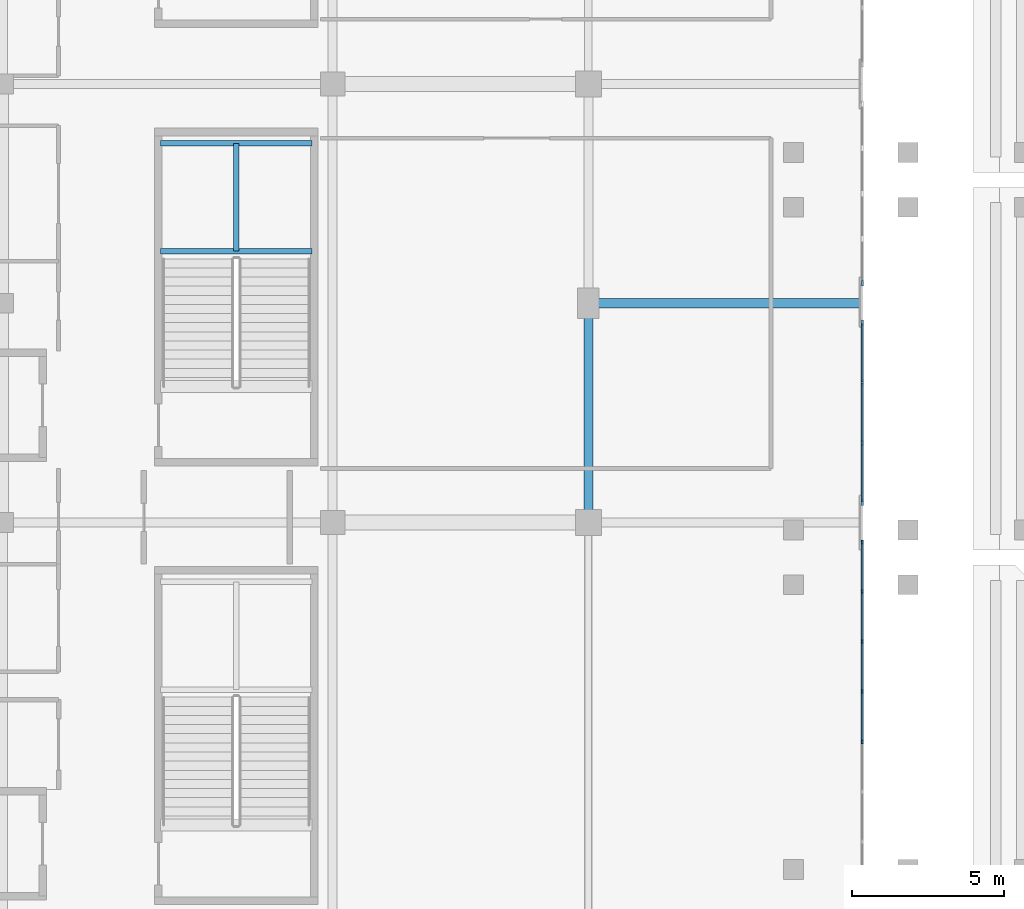
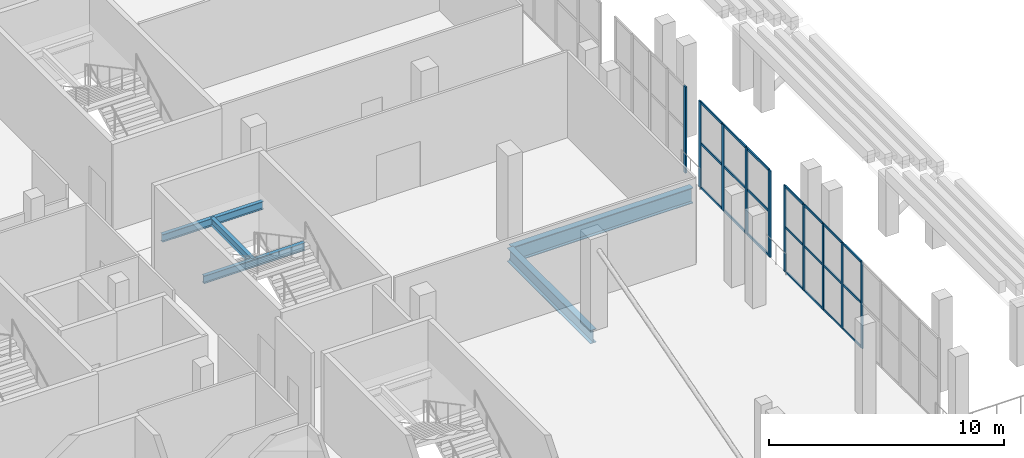
# One storey, part 22 of 142: 31 members, 5 beams, 3 elements without a shape of their own.
"""IFC4 building model written with IfcOpenShell, lengths in metres."""

from ifc_helpers import new_model, si_unit, direction, frame, origin, origin_2d, place, context, subcontext, project, spatial, rectangle, i_section, extrude, material, material_profile, profile_set, type_object, element, aggregate, save


model = new_model("IFC4")

# Units and contexts
model_context = context("Model", 3, precision=1e-05, world=origin(), true_north=direction((0.0, 1.0)))
body_context = subcontext(model_context, "Body", "Model", "MODEL_VIEW")
ifc_project = project(units=[si_unit("LENGTHUNIT", "METRE"), si_unit("AREAUNIT", "SQUARE_METRE"), si_unit("VOLUMEUNIT", "CUBIC_METRE"), si_unit("PLANEANGLEUNIT", "RADIAN"), si_unit("MASSUNIT", "GRAM", prefix="KILO")], contexts=[model_context])

# Site, building, storey
site_placement = place(None, origin())
site = spatial("IfcSite", under=ifc_project, at=site_placement, CompositionType="ELEMENT")
building_placement = place(site_placement, origin())
building = spatial("IfcBuilding", under=site, at=building_placement, Name="Koshinbarg Plaza Stadium", CompositionType="ELEMENT")
storey_placement = place(building_placement, frame((0.0, 0.0, 10.199951171875)))
storey = spatial("IfcBuildingStorey", under=building, at=storey_placement, Name="L02", CompositionType="ELEMENT", Elevation=10.199951171875)

# Beams
ifc_material_1 = material(Name="Steel S355", Category="steel")
ifc_material_profile_1 = material_profile(ifc_material_1, i_section(OverallWidth=0.179931640625, OverallDepth=0.39990234375, WebThickness=0.008544921875, FlangeThickness=0.013427734375, at=origin_2d()), Name="IPE 400")
ifc_profile_set_1 = profile_set([ifc_material_profile_1], Name="Steel S355")
beam_type_1 = type_object("IfcBeamType", Name="BM-SBM-01", PredefinedType="BEAM", material=ifc_profile_set_1)
for number, where, z_axis, x_axis, name in (
    (1, (40.550048828125, 48.81005859375, 1.880126953125), (1.0, 0.0, 0.0), (0.0, 1.0, 0.0), "L02 Upper Vomitory Stair VX02 landing trimmer beam 1"),
    (2, (40.550048828125, 52.35009765625, 1.880126953125), (1.0, 0.0, 0.0), (0.0, 1.0, 0.0), "L02 Upper Vomitory Stair VX02 landing trimmer beam 2"),
):
    element("IfcBeam", number, at=place(storey_placement, frame(where, z_axis=z_axis, x_axis=x_axis)), inside=storey, type_object=beam_type_1, Name=name, PredefinedType="BEAM", context=body_context, shape_type="SweptSolid", body=[
        extrude(i_section(OverallWidth=0.179931640625, OverallDepth=0.39990234375, WebThickness=0.008544921875, FlangeThickness=0.013427734375, at=origin_2d()), origin(), (0.0, 0.0, 1.0), 4.969970703125),
    ])
beam_1_placement = place(storey_placement, frame((43.034912109375, 48.81005859375, 1.880126953125), z_axis=(0.0, 1.0, 0.0), x_axis=(-1.0, 0.0, 0.0)))
element("IfcBeam", 3, at=beam_1_placement, inside=storey, type_object=beam_type_1, Name="L02 Upper Vomitory Stair VX02 landing trimmer beam 3", PredefinedType="BEAM", context=body_context, shape_type="SweptSolid", body=[
    extrude(i_section(OverallWidth=0.179931640625, OverallDepth=0.39990234375, WebThickness=0.008544921875, FlangeThickness=0.013427734375, at=origin_2d()), origin(), (0.0, 0.0, 1.0), 3.5400390625),
])
ifc_material_profile_2 = material_profile(ifc_material_1, i_section(OverallWidth=0.300048828125, OverallDepth=0.699951171875, WebThickness=0.01708984375, FlangeThickness=0.031982421875, at=origin_2d()), Name="HEB 700")
ifc_profile_set_2 = profile_set([ifc_material_profile_2], Name="Steel S355")
beam_type_2 = type_object("IfcBeamType", Name="BM-SGIR-03", PredefinedType="USERDEFINED", material=ifc_profile_set_2)
beam_2_placement = place(storey_placement, frame((54.60009765625, 39.9599609375, -0.64990234375), z_axis=(0.0, 1.0, 0.0), x_axis=(-1.0, 0.0, 0.0)))
element("IfcBeam", 4, at=beam_2_placement, inside=storey, type_object=beam_type_2, Name="L02 Y girder 8/F-G", ObjectType="GIRDER", PredefinedType="USERDEFINED", context=body_context, shape_type="SweptSolid", body=[
    extrude(i_section(OverallWidth=0.300048828125, OverallDepth=0.699951171875, WebThickness=0.01708984375, FlangeThickness=0.031982421875, at=origin_2d()), origin(), (0.0, 0.0, 1.0), 7.080078125),
])
ifc_material_profile_3 = material_profile(ifc_material_1, i_section(OverallWidth=0.300048828125, OverallDepth=0.800048828125, WebThickness=0.017578125, FlangeThickness=0.032958984375, at=origin_2d()), Name="HEB 800")
ifc_profile_set_3 = profile_set([ifc_material_profile_3], Name="Steel S355")
beam_type_3 = type_object("IfcBeamType", Name="BM-SGIR-04", PredefinedType="USERDEFINED", material=ifc_profile_set_3)
beam_3_placement = place(storey_placement, frame((54.659912109375, 47.10009765625, -0.699951171875), z_axis=(1.0, 0.0, 0.0), x_axis=(0.0, 1.0, 0.0)))
element("IfcBeam", 5, at=beam_3_placement, inside=storey, type_object=beam_type_3, Name="L02 X girder G/8-9", ObjectType="GIRDER", PredefinedType="USERDEFINED", context=body_context, shape_type="SweptSolid", body=[
    extrude(i_section(OverallWidth=0.300048828125, OverallDepth=0.800048828125, WebThickness=0.017578125, FlangeThickness=0.032958984375, at=origin_2d()), origin(), (0.0, 0.0, 1.0), 8.880126953125),
])

# Curtain wall, members
ifc_material_2 = material(Name="Thermally broken anodised aluminium and low-E double glazing", Category="aluminium")
curtain_wall_type_1 = type_object("IfcCurtainWallType", Name="CW-SYS-01", PredefinedType="NOTDEFINED", material=ifc_material_2)
curtain_wall_1_placement = place(storey_placement, origin())
curtain_wall_1 = element("IfcCurtainWall", 6, at=curtain_wall_1_placement, inside=storey, type_object=curtain_wall_type_1, Name="L02 unitised curtain wall CW-L02-080", PredefinedType="NOTDEFINED")
ifc_material_3 = material(Name="Anodised aluminium mullion", Category="aluminium")
ifc_material_profile_4 = material_profile(ifc_material_3, rectangle(XDim=0.06005859375, YDim=0.139892578125, at=origin_2d()), Name="ALU 60x140")
ifc_profile_set_4 = profile_set([ifc_material_profile_4], Name="Anodised aluminium mullion")
member_type_1 = type_object("IfcMemberType", Name="CW-MUL-01", PredefinedType="MULLION", material=ifc_profile_set_4)
member_1_placement = place(storey_placement, frame((63.60009765625, 39.25, 0.0), z_axis=(0.0, 0.0, 1.0), x_axis=(1.0, 0.0, 0.0)))
member_1 = element("IfcMember", 7, at=member_1_placement, type_object=member_type_1, Name="CW01 mullion 1", PredefinedType="MULLION", context=body_context, shape_type="SweptSolid", body=[
    extrude(rectangle(XDim=0.06005859375, YDim=0.139892578125, at=origin_2d()), origin(), (0.0, 0.0, 1.0), 4.47998046875),
])
member_2_placement = place(storey_placement, frame((63.60009765625, 37.635009765625, 0.0), z_axis=(0.0, 0.0, 1.0), x_axis=(1.0, 0.0, 0.0)))
member_2 = element("IfcMember", 8, at=member_2_placement, type_object=member_type_1, Name="CW01 mullion 2", PredefinedType="MULLION", context=body_context, shape_type="SweptSolid", body=[
    extrude(rectangle(XDim=0.06005859375, YDim=0.139892578125, at=origin_2d()), origin(), (0.0, 0.0, 1.0), 4.47998046875),
])
member_3_placement = place(storey_placement, frame((63.60009765625, 35.989990234375, 0.0), z_axis=(0.0, 0.0, 1.0), x_axis=(1.0, 0.0, 0.0)))
member_3 = element("IfcMember", 9, at=member_3_placement, type_object=member_type_1, Name="CW01 mullion 3", PredefinedType="MULLION", context=body_context, shape_type="SweptSolid", body=[
    extrude(rectangle(XDim=0.06005859375, YDim=0.139892578125, at=origin_2d()), origin(), (0.0, 0.0, 1.0), 4.47998046875),
])
member_4_placement = place(storey_placement, frame((63.60009765625, 34.344970703125, 0.0), z_axis=(0.0, 0.0, 1.0), x_axis=(1.0, 0.0, 0.0)))
member_4 = element("IfcMember", 10, at=member_4_placement, type_object=member_type_1, Name="CW01 mullion 4", PredefinedType="MULLION", context=body_context, shape_type="SweptSolid", body=[
    extrude(rectangle(XDim=0.06005859375, YDim=0.139892578125, at=origin_2d()), origin(), (0.0, 0.0, 1.0), 4.47998046875),
])
member_5_placement = place(storey_placement, frame((63.60009765625, 32.699951171875, 0.0), z_axis=(0.0, 0.0, 1.0), x_axis=(1.0, 0.0, 0.0)))
member_5 = element("IfcMember", 11, at=member_5_placement, type_object=member_type_1, Name="CW01 mullion 5", PredefinedType="MULLION", context=body_context, shape_type="SweptSolid", body=[
    extrude(rectangle(XDim=0.06005859375, YDim=0.139892578125, at=origin_2d()), origin(), (0.0, 0.0, 1.0), 4.47998046875),
])

# Curtain wall, member
curtain_wall_type_2 = type_object("IfcCurtainWallType", Name="CW-SYS-15", PredefinedType="NOTDEFINED", material=ifc_material_2)
curtain_wall_2_placement = place(storey_placement, origin())
curtain_wall_2 = element("IfcCurtainWall", 12, at=curtain_wall_2_placement, inside=storey, type_object=curtain_wall_type_2, Name="L02 unitised curtain wall CW-L02-078", PredefinedType="NOTDEFINED")
ifc_material_profile_5 = material_profile(ifc_material_3, rectangle(XDim=0.070068359375, YDim=0.179931640625, at=origin_2d()), Name="ALU 70x180")
ifc_profile_set_5 = profile_set([ifc_material_profile_5], Name="Anodised aluminium mullion")
member_type_2 = type_object("IfcMemberType", Name="CW-MUL-03", PredefinedType="MULLION", material=ifc_profile_set_5)
member_6_placement = place(storey_placement, frame((63.60009765625, 47.75, 0.0), z_axis=(0.0, 0.0, 1.0), x_axis=(1.0, 0.0, 0.0)))
member_6 = element("IfcMember", 13, at=member_6_placement, type_object=member_type_2, Name="CW15 mullion 5", PredefinedType="MULLION", context=body_context, shape_type="SweptSolid", body=[
    extrude(rectangle(XDim=0.070068359375, YDim=0.179931640625, at=origin_2d()), origin(), (0.0, 0.0, 1.0), 4.47998046875),
])
aggregate(curtain_wall_2, [member_6])

# Curtain wall, members
curtain_wall_type_3 = type_object("IfcCurtainWallType", Name="CW-SYS-16", PredefinedType="NOTDEFINED", material=ifc_material_2)
curtain_wall_3_placement = place(storey_placement, origin())
curtain_wall_3 = element("IfcCurtainWall", 14, at=curtain_wall_3_placement, inside=storey, type_object=curtain_wall_type_3, Name="L02 unitised curtain wall CW-L02-079", PredefinedType="NOTDEFINED")
ifc_material_profile_6 = material_profile(ifc_material_3, rectangle(XDim=0.070068359375, YDim=0.199951171875, at=origin_2d()), Name="ALU 70x200")
ifc_profile_set_6 = profile_set([ifc_material_profile_6], Name="Anodised aluminium mullion")
member_type_3 = type_object("IfcMemberType", Name="CW-MUL-04", PredefinedType="MULLION", material=ifc_profile_set_6)
member_7_placement = place(storey_placement, frame((63.60009765625, 46.449951171875, 0.0), z_axis=(0.0, 0.0, 1.0), x_axis=(1.0, 0.0, 0.0)))
member_7 = element("IfcMember", 15, at=member_7_placement, type_object=member_type_3, Name="CW16 mullion 1", PredefinedType="MULLION", context=body_context, shape_type="SweptSolid", body=[
    extrude(rectangle(XDim=0.070068359375, YDim=0.199951171875, at=origin_2d()), origin(), (0.0, 0.0, 1.0), 4.47998046875),
])
member_8_placement = place(storey_placement, frame((63.60009765625, 44.493408203125, 0.0), z_axis=(0.0, 0.0, 1.0), x_axis=(1.0, 0.0, 0.0)))
member_8 = element("IfcMember", 16, at=member_8_placement, type_object=member_type_3, Name="CW16 mullion 2", PredefinedType="MULLION", context=body_context, shape_type="SweptSolid", body=[
    extrude(rectangle(XDim=0.070068359375, YDim=0.199951171875, at=origin_2d()), origin(), (0.0, 0.0, 1.0), 4.47998046875),
])
member_9_placement = place(storey_placement, frame((63.60009765625, 42.506591796875, 0.0), z_axis=(0.0, 0.0, 1.0), x_axis=(1.0, 0.0, 0.0)))
member_9 = element("IfcMember", 17, at=member_9_placement, type_object=member_type_3, Name="CW16 mullion 3", PredefinedType="MULLION", context=body_context, shape_type="SweptSolid", body=[
    extrude(rectangle(XDim=0.070068359375, YDim=0.199951171875, at=origin_2d()), origin(), (0.0, 0.0, 1.0), 4.47998046875),
])
member_10_placement = place(storey_placement, frame((63.60009765625, 40.550048828125, 0.0), z_axis=(0.0, 0.0, 1.0), x_axis=(1.0, 0.0, 0.0)))
member_10 = element("IfcMember", 18, at=member_10_placement, type_object=member_type_3, Name="CW16 mullion 4", PredefinedType="MULLION", context=body_context, shape_type="SweptSolid", body=[
    extrude(rectangle(XDim=0.070068359375, YDim=0.199951171875, at=origin_2d()), origin(), (0.0, 0.0, 1.0), 4.47998046875),
])

# Member
ifc_material_4 = material(Name="Anodised aluminium transom", Category="aluminium")
ifc_material_profile_7 = material_profile(ifc_material_4, rectangle(XDim=0.06005859375, YDim=0.110107421875, at=origin_2d()), Name="ALU 60x110")
ifc_profile_set_7 = profile_set([ifc_material_profile_7], Name="Anodised aluminium transom")
member_type_4 = type_object("IfcMemberType", Name="CW-TRN-01", PredefinedType="USERDEFINED", material=ifc_profile_set_7)
member_11_placement = place(storey_placement, frame((63.60009765625, 39.219970703125, 0.030029296875), z_axis=(0.0, -1.0, 0.0), x_axis=(1.0, 0.0, 0.0)))
member_11 = element("IfcMember", 19, at=member_11_placement, type_object=member_type_4, Name="CW01 transom 1.1", ObjectType="TRANSOM", PredefinedType="USERDEFINED", context=body_context, shape_type="SweptSolid", body=[
    extrude(rectangle(XDim=0.06005859375, YDim=0.110107421875, at=origin_2d()), origin(), (0.0, 0.0, 1.0), 1.554931640625),
])

member_12_placement = place(storey_placement, frame((63.60009765625, 39.219970703125, 2.32958984375), z_axis=(0.0, -1.0, 0.0), x_axis=(1.0, 0.0, 0.0)))
member_12 = element("IfcMember", 20, at=member_12_placement, type_object=member_type_4, Name="CW01 transom 1.2", ObjectType="TRANSOM", PredefinedType="USERDEFINED", context=body_context, shape_type="SweptSolid", body=[
    extrude(rectangle(XDim=0.06005859375, YDim=0.110107421875, at=origin_2d()), origin(), (0.0, 0.0, 1.0), 1.554931640625),
])

member_13_placement = place(storey_placement, frame((63.60009765625, 39.219970703125, 4.449951171875), z_axis=(0.0, -1.0, 0.0), x_axis=(1.0, 0.0, 0.0)))
member_13 = element("IfcMember", 21, at=member_13_placement, type_object=member_type_4, Name="CW01 transom 1.3", ObjectType="TRANSOM", PredefinedType="USERDEFINED", context=body_context, shape_type="SweptSolid", body=[
    extrude(rectangle(XDim=0.06005859375, YDim=0.110107421875, at=origin_2d()), origin(), (0.0, 0.0, 1.0), 1.554931640625),
])

member_14_placement = place(storey_placement, frame((63.60009765625, 37.60498046875, 0.030029296875), z_axis=(0.0, -1.0, 0.0), x_axis=(1.0, 0.0, 0.0)))
member_14 = element("IfcMember", 22, at=member_14_placement, type_object=member_type_4, Name="CW01 transom 2.1", ObjectType="TRANSOM", PredefinedType="USERDEFINED", context=body_context, shape_type="SweptSolid", body=[
    extrude(rectangle(XDim=0.06005859375, YDim=0.110107421875, at=origin_2d()), origin(), (0.0, 0.0, 1.0), 1.5849609375),
])

member_15_placement = place(storey_placement, frame((63.60009765625, 37.60498046875, 2.32958984375), z_axis=(0.0, -1.0, 0.0), x_axis=(1.0, 0.0, 0.0)))
member_15 = element("IfcMember", 23, at=member_15_placement, type_object=member_type_4, Name="CW01 transom 2.2", ObjectType="TRANSOM", PredefinedType="USERDEFINED", context=body_context, shape_type="SweptSolid", body=[
    extrude(rectangle(XDim=0.06005859375, YDim=0.110107421875, at=origin_2d()), origin(), (0.0, 0.0, 1.0), 1.5849609375),
])

member_16_placement = place(storey_placement, frame((63.60009765625, 37.60498046875, 4.449951171875), z_axis=(0.0, -1.0, 0.0), x_axis=(1.0, 0.0, 0.0)))
member_16 = element("IfcMember", 24, at=member_16_placement, type_object=member_type_4, Name="CW01 transom 2.3", ObjectType="TRANSOM", PredefinedType="USERDEFINED", context=body_context, shape_type="SweptSolid", body=[
    extrude(rectangle(XDim=0.06005859375, YDim=0.110107421875, at=origin_2d()), origin(), (0.0, 0.0, 1.0), 1.5849609375),
])

member_17_placement = place(storey_placement, frame((63.60009765625, 35.9599609375, 0.030029296875), z_axis=(0.0, -1.0, 0.0), x_axis=(1.0, 0.0, 0.0)))
member_17 = element("IfcMember", 25, at=member_17_placement, type_object=member_type_4, Name="CW01 transom 3.1", ObjectType="TRANSOM", PredefinedType="USERDEFINED", context=body_context, shape_type="SweptSolid", body=[
    extrude(rectangle(XDim=0.06005859375, YDim=0.110107421875, at=origin_2d()), origin(), (0.0, 0.0, 1.0), 1.5849609375),
])

member_18_placement = place(storey_placement, frame((63.60009765625, 35.9599609375, 2.32958984375), z_axis=(0.0, -1.0, 0.0), x_axis=(1.0, 0.0, 0.0)))
member_18 = element("IfcMember", 26, at=member_18_placement, type_object=member_type_4, Name="CW01 transom 3.2", ObjectType="TRANSOM", PredefinedType="USERDEFINED", context=body_context, shape_type="SweptSolid", body=[
    extrude(rectangle(XDim=0.06005859375, YDim=0.110107421875, at=origin_2d()), origin(), (0.0, 0.0, 1.0), 1.5849609375),
])

member_19_placement = place(storey_placement, frame((63.60009765625, 35.9599609375, 4.449951171875), z_axis=(0.0, -1.0, 0.0), x_axis=(1.0, 0.0, 0.0)))
member_19 = element("IfcMember", 27, at=member_19_placement, type_object=member_type_4, Name="CW01 transom 3.3", ObjectType="TRANSOM", PredefinedType="USERDEFINED", context=body_context, shape_type="SweptSolid", body=[
    extrude(rectangle(XDim=0.06005859375, YDim=0.110107421875, at=origin_2d()), origin(), (0.0, 0.0, 1.0), 1.5849609375),
])

member_20_placement = place(storey_placement, frame((63.60009765625, 34.31494140625, 0.030029296875), z_axis=(0.0, -1.0, 0.0), x_axis=(1.0, 0.0, 0.0)))
member_20 = element("IfcMember", 28, at=member_20_placement, type_object=member_type_4, Name="CW01 transom 4.1", ObjectType="TRANSOM", PredefinedType="USERDEFINED", context=body_context, shape_type="SweptSolid", body=[
    extrude(rectangle(XDim=0.06005859375, YDim=0.110107421875, at=origin_2d()), origin(), (0.0, 0.0, 1.0), 1.5849609375),
])

member_21_placement = place(storey_placement, frame((63.60009765625, 34.31494140625, 2.32958984375), z_axis=(0.0, -1.0, 0.0), x_axis=(1.0, 0.0, 0.0)))
member_21 = element("IfcMember", 29, at=member_21_placement, type_object=member_type_4, Name="CW01 transom 4.2", ObjectType="TRANSOM", PredefinedType="USERDEFINED", context=body_context, shape_type="SweptSolid", body=[
    extrude(rectangle(XDim=0.06005859375, YDim=0.110107421875, at=origin_2d()), origin(), (0.0, 0.0, 1.0), 1.5849609375),
])

member_22_placement = place(storey_placement, frame((63.60009765625, 34.31494140625, 4.449951171875), z_axis=(0.0, -1.0, 0.0), x_axis=(1.0, 0.0, 0.0)))
member_22 = element("IfcMember", 30, at=member_22_placement, type_object=member_type_4, Name="CW01 transom 4.3", ObjectType="TRANSOM", PredefinedType="USERDEFINED", context=body_context, shape_type="SweptSolid", body=[
    extrude(rectangle(XDim=0.06005859375, YDim=0.110107421875, at=origin_2d()), origin(), (0.0, 0.0, 1.0), 1.5849609375),
])

aggregate(curtain_wall_1, [member_1, member_2, member_3, member_4, member_5, member_11, member_12, member_13, member_14, member_15, member_16, member_17, member_18, member_19, member_20, member_21, member_22])

ifc_material_profile_8 = material_profile(ifc_material_4, rectangle(XDim=0.06005859375, YDim=0.1298828125, at=origin_2d()), Name="ALU 60x130")
ifc_profile_set_8 = profile_set([ifc_material_profile_8], Name="Anodised aluminium transom")
member_type_5 = type_object("IfcMemberType", Name="CW-TRN-02", PredefinedType="USERDEFINED", material=ifc_profile_set_8)
member_23_placement = place(storey_placement, frame((63.60009765625, 46.419921875, 0.030029296875), z_axis=(0.0, -1.0, 0.0), x_axis=(1.0, 0.0, 0.0)))
member_23 = element("IfcMember", 31, at=member_23_placement, type_object=member_type_5, Name="CW16 transom 1.1", ObjectType="TRANSOM", PredefinedType="USERDEFINED", context=body_context, shape_type="SweptSolid", body=[
    extrude(rectangle(XDim=0.06005859375, YDim=0.1298828125, at=origin_2d()), origin(), (0.0, 0.0, 1.0), 1.896484375),
])

member_24_placement = place(storey_placement, frame((63.60009765625, 46.419921875, 2.32958984375), z_axis=(0.0, -1.0, 0.0), x_axis=(1.0, 0.0, 0.0)))
member_24 = element("IfcMember", 32, at=member_24_placement, type_object=member_type_5, Name="CW16 transom 1.2", ObjectType="TRANSOM", PredefinedType="USERDEFINED", context=body_context, shape_type="SweptSolid", body=[
    extrude(rectangle(XDim=0.06005859375, YDim=0.1298828125, at=origin_2d()), origin(), (0.0, 0.0, 1.0), 1.896484375),
])

member_25_placement = place(storey_placement, frame((63.60009765625, 46.419921875, 4.449951171875), z_axis=(0.0, -1.0, 0.0), x_axis=(1.0, 0.0, 0.0)))
member_25 = element("IfcMember", 33, at=member_25_placement, type_object=member_type_5, Name="CW16 transom 1.3", ObjectType="TRANSOM", PredefinedType="USERDEFINED", context=body_context, shape_type="SweptSolid", body=[
    extrude(rectangle(XDim=0.06005859375, YDim=0.1298828125, at=origin_2d()), origin(), (0.0, 0.0, 1.0), 1.896484375),
])

member_26_placement = place(storey_placement, frame((63.60009765625, 44.46337890625, 0.030029296875), z_axis=(0.0, -1.0, 0.0), x_axis=(1.0, 0.0, 0.0)))
member_26 = element("IfcMember", 34, at=member_26_placement, type_object=member_type_5, Name="CW16 transom 2.1", ObjectType="TRANSOM", PredefinedType="USERDEFINED", context=body_context, shape_type="SweptSolid", body=[
    extrude(rectangle(XDim=0.06005859375, YDim=0.1298828125, at=origin_2d()), origin(), (0.0, 0.0, 1.0), 1.9267578125),
])

member_27_placement = place(storey_placement, frame((63.60009765625, 44.46337890625, 2.32958984375), z_axis=(0.0, -1.0, 0.0), x_axis=(1.0, 0.0, 0.0)))
member_27 = element("IfcMember", 35, at=member_27_placement, type_object=member_type_5, Name="CW16 transom 2.2", ObjectType="TRANSOM", PredefinedType="USERDEFINED", context=body_context, shape_type="SweptSolid", body=[
    extrude(rectangle(XDim=0.06005859375, YDim=0.1298828125, at=origin_2d()), origin(), (0.0, 0.0, 1.0), 1.9267578125),
])

member_28_placement = place(storey_placement, frame((63.60009765625, 44.46337890625, 4.449951171875), z_axis=(0.0, -1.0, 0.0), x_axis=(1.0, 0.0, 0.0)))
member_28 = element("IfcMember", 36, at=member_28_placement, type_object=member_type_5, Name="CW16 transom 2.3", ObjectType="TRANSOM", PredefinedType="USERDEFINED", context=body_context, shape_type="SweptSolid", body=[
    extrude(rectangle(XDim=0.06005859375, YDim=0.1298828125, at=origin_2d()), origin(), (0.0, 0.0, 1.0), 1.9267578125),
])

member_29_placement = place(storey_placement, frame((63.60009765625, 42.4765625, 0.030029296875), z_axis=(0.0, -1.0, 0.0), x_axis=(1.0, 0.0, 0.0)))
member_29 = element("IfcMember", 37, at=member_29_placement, type_object=member_type_5, Name="CW16 transom 3.1", ObjectType="TRANSOM", PredefinedType="USERDEFINED", context=body_context, shape_type="SweptSolid", body=[
    extrude(rectangle(XDim=0.06005859375, YDim=0.1298828125, at=origin_2d()), origin(), (0.0, 0.0, 1.0), 1.896484375),
])

member_30_placement = place(storey_placement, frame((63.60009765625, 42.4765625, 2.32958984375), z_axis=(0.0, -1.0, 0.0), x_axis=(1.0, 0.0, 0.0)))
member_30 = element("IfcMember", 38, at=member_30_placement, type_object=member_type_5, Name="CW16 transom 3.2", ObjectType="TRANSOM", PredefinedType="USERDEFINED", context=body_context, shape_type="SweptSolid", body=[
    extrude(rectangle(XDim=0.06005859375, YDim=0.1298828125, at=origin_2d()), origin(), (0.0, 0.0, 1.0), 1.896484375),
])

member_31_placement = place(storey_placement, frame((63.60009765625, 42.4765625, 4.449951171875), z_axis=(0.0, -1.0, 0.0), x_axis=(1.0, 0.0, 0.0)))
member_31 = element("IfcMember", 39, at=member_31_placement, type_object=member_type_5, Name="CW16 transom 3.3", ObjectType="TRANSOM", PredefinedType="USERDEFINED", context=body_context, shape_type="SweptSolid", body=[
    extrude(rectangle(XDim=0.06005859375, YDim=0.1298828125, at=origin_2d()), origin(), (0.0, 0.0, 1.0), 1.896484375),
])

aggregate(curtain_wall_3, [member_7, member_8, member_9, member_10, member_23, member_24, member_25, member_26, member_27, member_28, member_29, member_30, member_31])

save(model, "model.ifc")
